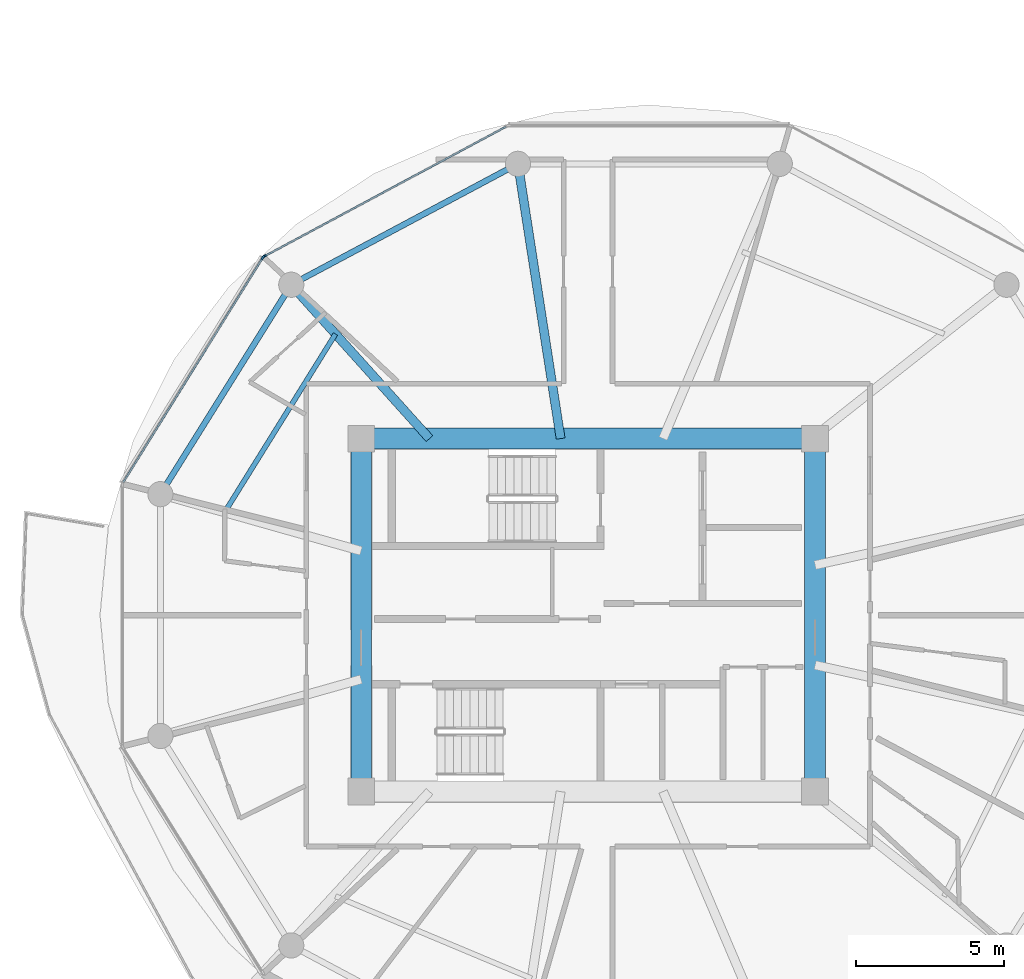
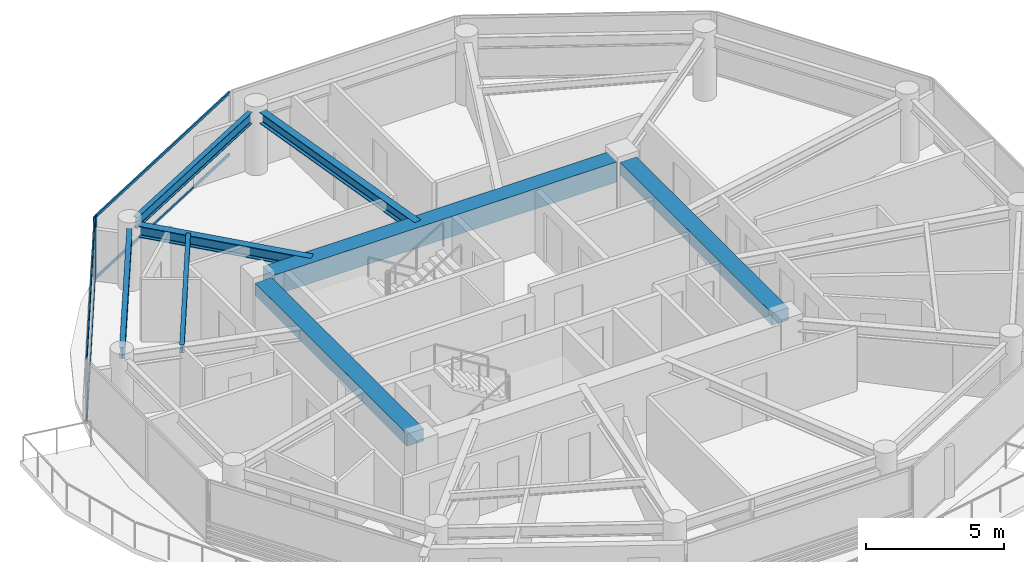
# One storey, part 4 of 24: 8 beams, 6 members, 2 elements without a shape of their own.
"""IFC4 building model written with IfcOpenShell, lengths in metres."""

from ifc_helpers import new_model, si_unit, direction, frame, origin, origin_2d, place, context, subcontext, project, spatial, rectangle, i_section, extrude, source, transform, mapped, material, layer, layer_set, material_profile, profile_set, type_object, type_shapes, element, aggregate, save


model = new_model("IFC4")

# Units and contexts
model_context = context("Model", 3, precision=1e-05, world=origin(), true_north=direction((0.0, 1.0)))
body_context = subcontext(model_context, "Body", "Model", "MODEL_VIEW")
ifc_project = project(units=[si_unit("LENGTHUNIT", "METRE"), si_unit("AREAUNIT", "SQUARE_METRE"), si_unit("VOLUMEUNIT", "CUBIC_METRE"), si_unit("PLANEANGLEUNIT", "RADIAN"), si_unit("MASSUNIT", "GRAM", prefix="KILO")], contexts=[model_context])

# Site, building, storey
site_placement = place(None, origin())
site = spatial("IfcSite", under=ifc_project, at=site_placement, CompositionType="ELEMENT")
building_placement = place(site_placement, origin())
building = spatial("IfcBuilding", under=site, at=building_placement, Name="Norrkilde Senior Care Towers", CompositionType="ELEMENT")
storey_placement = place(building_placement, frame((0.0, 0.0, 105.39990234375)))
storey = spatial("IfcBuildingStorey", under=building, at=storey_placement, Name="L32", CompositionType="ELEMENT", Elevation=105.39990234375)

# Beams
ifc_material_1 = material(Name="Concrete C60/75", Category="concrete")
ifc_material_profile_1 = material_profile(ifc_material_1, rectangle(XDim=0.699951171875, YDim=0.89990234375, at=origin_2d()), Name="RC BM 700x900")
ifc_profile_set_1 = profile_set([ifc_material_profile_1], Name="Concrete C60/75")
beam_type_1 = type_object("IfcBeamType", Name="Core Coupling Girder 700x900", PredefinedType="USERDEFINED", material=ifc_profile_set_1)
shared_shape_1 = source(origin(), body_context, "Body", "SweptSolid", [
    extrude(rectangle(XDim=0.699951171875, YDim=0.89990234375, at=origin_2d()), origin(), (0.0, 0.0, 1.0), 14.43994140625),
])
type_shapes(beam_type_1, [shared_shape_1])
beam_1_placement = place(storey_placement, frame((-35.219970703125, 5.949951171875, 2.340087890625), z_axis=(1.0, 0.0, 0.0), x_axis=(0.0, 1.0, 0.0)))
element("IfcBeam", 1, at=beam_1_placement, inside=storey, type_object=beam_type_1, Name="L32 Core W N Coupling Girder", ObjectType="GIRDER", PredefinedType="USERDEFINED", context=body_context, shape_type="MappedRepresentation", body=[
    mapped(shared_shape_1, transform((0.0, 0.0, 0.0), x_axis=(1.0, 0.0, 0.0), y_axis=(0.0, 1.0, 0.0), z_axis=(0.0, 0.0, 1.0), scale=1.0)),
])
ifc_material_profile_2 = material_profile(ifc_material_1, rectangle(XDim=0.699951171875, YDim=0.550048828125, at=origin_2d()), Name="RC BM 700x550")
ifc_profile_set_2 = profile_set([ifc_material_profile_2], Name="Concrete C60/75")
beam_type_2 = type_object("IfcBeamType", Name="Core Portal Coupling Beam 700x550", PredefinedType="USERDEFINED", material=ifc_profile_set_2)
shared_shape_2 = source(origin(), body_context, "Body", "SweptSolid", [
    extrude(rectangle(XDim=0.699951171875, YDim=0.550048828125, at=origin_2d()), origin(), (0.0, 0.0, 1.0), 11.0400390625),
])
type_shapes(beam_type_2, [shared_shape_2])
for number, where, z_axis, x_axis, name in (
    (2, (-35.64990234375, -5.52001953125, 2.51513671875), (0.0, 1.0, 0.0), (-1.0, 0.0, 0.0), "L32 Core W W Coupling Girder"),
    (3, (-20.35009765625, -5.52001953125, 2.51513671875), (0.0, 1.0, 0.0), (-1.0, 0.0, 0.0), "L32 Core W E Coupling Girder"),
):
    element("IfcBeam", number, at=place(storey_placement, frame(where, z_axis=z_axis, x_axis=x_axis)), inside=storey, type_object=beam_type_2, Name=name, ObjectType="GIRDER", PredefinedType="USERDEFINED", context=body_context, shape_type="MappedRepresentation", body=[
        mapped(shared_shape_2, transform((0.0, 0.0, 0.0), x_axis=(1.0, 0.0, 0.0), y_axis=(0.0, 1.0, 0.0), z_axis=(0.0, 0.0, 1.0), scale=1.0)),
    ])
ifc_material_2 = material(Name="Steel S355", Category="steel")
ifc_material_profile_3 = material_profile(ifc_material_2, i_section(OverallWidth=0.199951171875, OverallDepth=0.5, WebThickness=0.01025390625, FlangeThickness=0.01611328125, FilletRadius=0.02099609375, at=origin_2d()), Name="IPE 500")
ifc_profile_set_3 = profile_set([ifc_material_profile_3], Name="Steel S355")
beam_type_3 = type_object("IfcBeamType", Name="Perimeter Ring Spandrel Z2 IPE500", PredefinedType="SPANDREL", material=ifc_profile_set_3)
shared_shape_3 = source(origin(), body_context, "Body", "SweptSolid", [
    extrude(i_section(OverallWidth=0.199951171875, OverallDepth=0.5, WebThickness=0.01025390625, FlangeThickness=0.01611328125, FilletRadius=0.02099609375, at=origin_2d()), origin(), (0.0, 0.0, 1.0), 7.892333984375),
])
beam_2_placement = place(storey_placement, frame((-30.70263671875, 15.0322265625, 2.5400390625), z_axis=(-0.882350372282, -0.47059305194, 0.0), x_axis=(0.47059305194, -0.882350372282, 0.0)))
element("IfcBeam", 4, at=beam_2_placement, inside=storey, type_object=beam_type_3, Name="L32 Drum W Perimeter Spandrel 04", PredefinedType="SPANDREL", context=body_context, shape_type="MappedRepresentation", body=[
    mapped(shared_shape_3, transform((0.0, 0.0, 0.0), x_axis=(1.0, 0.0, 0.0), y_axis=(0.0, 1.0, 0.0), z_axis=(0.0, 0.0, 1.0), scale=1.0)),
])
ifc_material_profile_4 = material_profile(ifc_material_2, i_section(OverallWidth=0.300048828125, OverallDepth=0.5, WebThickness=0.014404296875, FlangeThickness=0.028076171875, FilletRadius=0.027099609375, at=origin_2d()), Name="HEB 500")
ifc_profile_set_4 = profile_set([ifc_material_profile_4], Name="Steel S355")
beam_type_4 = type_object("IfcBeamType", Name="Radial Floor Beam Z2 HEB500", PredefinedType="BEAM", material=ifc_profile_set_4)
shared_shape_4 = source(origin(), body_context, "Body", "SweptSolid", [
    extrude(i_section(OverallWidth=0.300048828125, OverallDepth=0.5, WebThickness=0.014404296875, FlangeThickness=0.028076171875, FilletRadius=0.027099609375, at=origin_2d()), origin(), (0.0, 0.0, 1.0), 8.989501953125),
])
beam_3_placement = place(storey_placement, frame((-28.924072265625, 5.949951171875, 2.5400390625), z_axis=(-0.153471298636, 0.988153105796, 0.0), x_axis=(-0.988153105796, -0.153471298636, 0.0)))
element("IfcBeam", 5, at=beam_3_placement, inside=storey, type_object=beam_type_4, Name="L32 Drum W Radial Floor Beam 04", PredefinedType="BEAM", context=body_context, shape_type="MappedRepresentation", body=[
    mapped(shared_shape_4, transform((0.0, 0.0, 0.0), x_axis=(1.0, 0.0, 0.0), y_axis=(0.0, 1.0, 0.0), z_axis=(0.0, 0.0, 1.0), scale=1.0)),
])
shared_shape_5 = source(origin(), body_context, "Body", "SweptSolid", [
    extrude(i_section(OverallWidth=0.199951171875, OverallDepth=0.5, WebThickness=0.01025390625, FlangeThickness=0.01611328125, FilletRadius=0.02099609375, at=origin_2d()), origin(), (0.0, 0.0, 1.0), 7.556396484375),
])
type_shapes(beam_type_3, [shared_shape_3, shared_shape_5])
beam_4_placement = place(storey_placement, frame((-38.210205078125, 10.810546875, 2.5400390625), z_axis=(-0.530004748437, -0.847994673706, 0.0), x_axis=(0.847994673706, -0.530004748437, 0.0)))
element("IfcBeam", 6, at=beam_4_placement, inside=storey, type_object=beam_type_3, Name="L32 Drum W Perimeter Spandrel 05", PredefinedType="SPANDREL", context=body_context, shape_type="MappedRepresentation", body=[
    mapped(shared_shape_5, transform((0.0, 0.0, 0.0), x_axis=(1.0, 0.0, 0.0), y_axis=(0.0, 1.0, 0.0), z_axis=(0.0, 0.0, 1.0), scale=1.0)),
])
shared_shape_6 = source(origin(), body_context, "Body", "SweptSolid", [
    extrude(i_section(OverallWidth=0.300048828125, OverallDepth=0.5, WebThickness=0.014404296875, FlangeThickness=0.028076171875, FilletRadius=0.027099609375, at=origin_2d()), origin(), (0.0, 0.0, 1.0), 6.587890625),
])
type_shapes(beam_type_4, [shared_shape_4, shared_shape_6])
beam_5_placement = place(storey_placement, frame((-33.345947265625, 5.949951171875, 2.5400390625), z_axis=(-0.668315438605, 0.743877997068, 0.0), x_axis=(-0.743877997068, -0.668315438605, 0.0)))
element("IfcBeam", 7, at=beam_5_placement, inside=storey, type_object=beam_type_4, Name="L32 Drum W Radial Floor Beam 05", PredefinedType="BEAM", context=body_context, shape_type="MappedRepresentation", body=[
    mapped(shared_shape_6, transform((0.0, 0.0, 0.0), x_axis=(1.0, 0.0, 0.0), y_axis=(0.0, 1.0, 0.0), z_axis=(0.0, 0.0, 1.0), scale=1.0)),
])
ifc_material_profile_5 = material_profile(ifc_material_2, i_section(OverallWidth=0.169921875, OverallDepth=0.360107421875, WebThickness=0.008056640625, FlangeThickness=0.0126953125, FilletRadius=0.01806640625, at=origin_2d()), Name="IPE 360")
ifc_profile_set_5 = profile_set([ifc_material_profile_5], Name="Steel S355")
beam_type_5 = type_object("IfcBeamType", Name="Secondary Floor Joist IPE360", PredefinedType="JOIST", material=ifc_profile_set_5)
shared_shape_7 = source(origin(), body_context, "Body", "SweptSolid", [
    extrude(i_section(OverallWidth=0.169921875, OverallDepth=0.360107421875, WebThickness=0.008056640625, FlangeThickness=0.0126953125, FilletRadius=0.01806640625, at=origin_2d()), origin(), (0.0, 0.0, 1.0), 7.080078125),
])
type_shapes(beam_type_5, [shared_shape_7])
beam_6_placement = place(storey_placement, frame((-36.514892578125, 9.47705078125, 2.610107421875), z_axis=(-0.527961009189, -0.849268610497, 0.0), x_axis=(0.849268610497, -0.527961009189, 0.0)))
element("IfcBeam", 8, at=beam_6_placement, inside=storey, type_object=beam_type_5, Name="L32 Drum W Secondary Floor Joist 2", PredefinedType="JOIST", context=body_context, shape_type="MappedRepresentation", body=[
    mapped(shared_shape_7, transform((0.0, 0.0, 0.0), x_axis=(1.0, 0.0, 0.0), y_axis=(0.0, 1.0, 0.0), z_axis=(0.0, 0.0, 1.0), scale=1.0)),
])

# Curtain wall, member
ifc_material_3 = material(Name="Triple Low-E Insulated Glazing", Category="glass")
ifc_layer = layer(ifc_material_3, 0.195068359375)
ifc_layer_set = layer_set([ifc_layer], Name="Triple Low-E Insulated Glazing")
curtain_wall_type = type_object("IfcCurtainWallType", Name="CW3 Zone 2 Assisted Living Curtain Wall", PredefinedType="NOTDEFINED", material=ifc_layer_set)
curtain_wall_1_placement = place(storey_placement, origin())
curtain_wall_1 = element("IfcCurtainWall", 9, at=curtain_wall_1_placement, inside=storey, type_object=curtain_wall_type, Name="L32 Drum W Curtain Wall 03", PredefinedType="NOTDEFINED")
ifc_material_4 = material(Name="Anodised Aluminium", Category="aluminium")
ifc_material_profile_6 = material_profile(ifc_material_4, rectangle(XDim=0.06494140625, YDim=0.159912109375, at=origin_2d()), Name="ALU MULL 65x160")
ifc_profile_set_6 = profile_set([ifc_material_profile_6], Name="Anodised Aluminium")
member_type_1 = type_object("IfcMemberType", Name="Curtain Wall Mullion Z1-Z2 65x160", PredefinedType="MULLION", material=ifc_profile_set_6)
shared_shape_8 = source(origin(), body_context, "Body", "SweptSolid", [
    extrude(rectangle(XDim=0.06494140625, YDim=0.159912109375, at=origin_2d()), origin(), (0.0, 0.0, 1.0), 2.7900390625),
])
type_shapes(member_type_1, [shared_shape_8])
member_1_placement = place(storey_placement, frame((-38.91796875, 12.0927734375, 0.0), z_axis=(0.0, 0.0, 1.0), x_axis=(-0.472769402511, 0.881186184668, 0.0)))
member_1 = element("IfcMember", 10, at=member_1_placement, type_object=member_type_1, Name="CW-3 mullion 1", PredefinedType="MULLION", context=body_context, shape_type="MappedRepresentation", body=[
    mapped(shared_shape_8, transform((0.0, 0.0, 0.0), x_axis=(1.0, 0.0, 0.0), y_axis=(0.0, 1.0, 0.0), z_axis=(0.0, 0.0, 1.0), scale=1.0)),
])

# Curtain wall, members
curtain_wall_2_placement = place(storey_placement, origin())
curtain_wall_2 = element("IfcCurtainWall", 11, at=curtain_wall_2_placement, inside=storey, type_object=curtain_wall_type, Name="L32 Drum W Curtain Wall 04", PredefinedType="NOTDEFINED")
member_2_placement = place(storey_placement, frame((-38.9638671875, 12.0498046875, 0.0), z_axis=(0.0, 0.0, 1.0), x_axis=(-0.849410171862, 0.527733228002, 0.0)))
member_2 = element("IfcMember", 12, at=member_2_placement, type_object=member_type_1, Name="CW-3 mullion 2", PredefinedType="MULLION", context=body_context, shape_type="MappedRepresentation", body=[
    mapped(shared_shape_8, transform((0.0, 0.0, 0.0), x_axis=(1.0, 0.0, 0.0), y_axis=(0.0, 1.0, 0.0), z_axis=(0.0, 0.0, 1.0), scale=1.0)),
])
ifc_material_profile_7 = material_profile(ifc_material_4, rectangle(XDim=0.06005859375, YDim=0.1201171875, at=origin_2d()), Name="ALU TRAN 60x120")
ifc_profile_set_7 = profile_set([ifc_material_profile_7], Name="Anodised Aluminium")
member_type_2 = type_object("IfcMemberType", Name="Curtain Wall Transom Typical 60x120", PredefinedType="USERDEFINED", material=ifc_profile_set_7)
shared_shape_9 = source(origin(), body_context, "Body", "SweptSolid", [
    extrude(rectangle(XDim=0.06005859375, YDim=0.1201171875, at=origin_2d()), origin(), (0.0, 0.0, 1.0), 8.88427734375),
])
member_3_placement = place(storey_placement, frame((-43.66943359375, 4.475830078125, 0.030029296875), z_axis=(0.527729466743, 0.849412508697, 0.0), x_axis=(-0.849412508697, 0.527729466743, 0.0)))
member_3 = element("IfcMember", 13, at=member_3_placement, type_object=member_type_2, Name="CW-3 transom 1.1", ObjectType="TRANSOM", PredefinedType="USERDEFINED", context=body_context, shape_type="MappedRepresentation", body=[
    mapped(shared_shape_9, transform((0.0, 0.0, 0.0), x_axis=(1.0, 0.0, 0.0), y_axis=(0.0, 1.0, 0.0), z_axis=(0.0, 0.0, 1.0), scale=1.0)),
])
member_4_placement = place(storey_placement, frame((-43.66943359375, 4.475830078125, 2.760009765625), z_axis=(0.527729466743, 0.849412508697, 0.0), x_axis=(-0.849412508697, 0.527729466743, 0.0)))
member_4 = element("IfcMember", 14, at=member_4_placement, type_object=member_type_2, Name="CW-3 transom 1.2", ObjectType="TRANSOM", PredefinedType="USERDEFINED", context=body_context, shape_type="MappedRepresentation", body=[
    mapped(shared_shape_9, transform((0.0, 0.0, 0.0), x_axis=(1.0, 0.0, 0.0), y_axis=(0.0, 1.0, 0.0), z_axis=(0.0, 0.0, 1.0), scale=1.0)),
])
aggregate(curtain_wall_2, [member_2, member_3, member_4])

# Member
shared_shape_10 = source(origin(), body_context, "Body", "SweptSolid", [
    extrude(rectangle(XDim=0.06005859375, YDim=0.1201171875, at=origin_2d()), origin(), (0.0, 0.0, 1.0), 9.220458984375),
])
type_shapes(member_type_2, [shared_shape_9, shared_shape_10])
member_5_placement = place(storey_placement, frame((-38.889404296875, 12.108154296875, 0.030029296875), z_axis=(0.881188517866, 0.472765053681, 0.0), x_axis=(-0.472765053681, 0.881188517866, 0.0)))
member_5 = element("IfcMember", 15, at=member_5_placement, type_object=member_type_2, Name="CW-3 transom 1.1", ObjectType="TRANSOM", PredefinedType="USERDEFINED", context=body_context, shape_type="MappedRepresentation", body=[
    mapped(shared_shape_10, transform((0.0, 0.0, 0.0), x_axis=(1.0, 0.0, 0.0), y_axis=(0.0, 1.0, 0.0), z_axis=(0.0, 0.0, 1.0), scale=1.0)),
])

member_6_placement = place(storey_placement, frame((-38.889404296875, 12.108154296875, 2.760009765625), z_axis=(0.881188517866, 0.472765053681, 0.0), x_axis=(-0.472765053681, 0.881188517866, 0.0)))
member_6 = element("IfcMember", 16, at=member_6_placement, type_object=member_type_2, Name="CW-3 transom 1.2", ObjectType="TRANSOM", PredefinedType="USERDEFINED", context=body_context, shape_type="MappedRepresentation", body=[
    mapped(shared_shape_10, transform((0.0, 0.0, 0.0), x_axis=(1.0, 0.0, 0.0), y_axis=(0.0, 1.0, 0.0), z_axis=(0.0, 0.0, 1.0), scale=1.0)),
])

aggregate(curtain_wall_1, [member_1, member_5, member_6])

save(model, "model.ifc")
